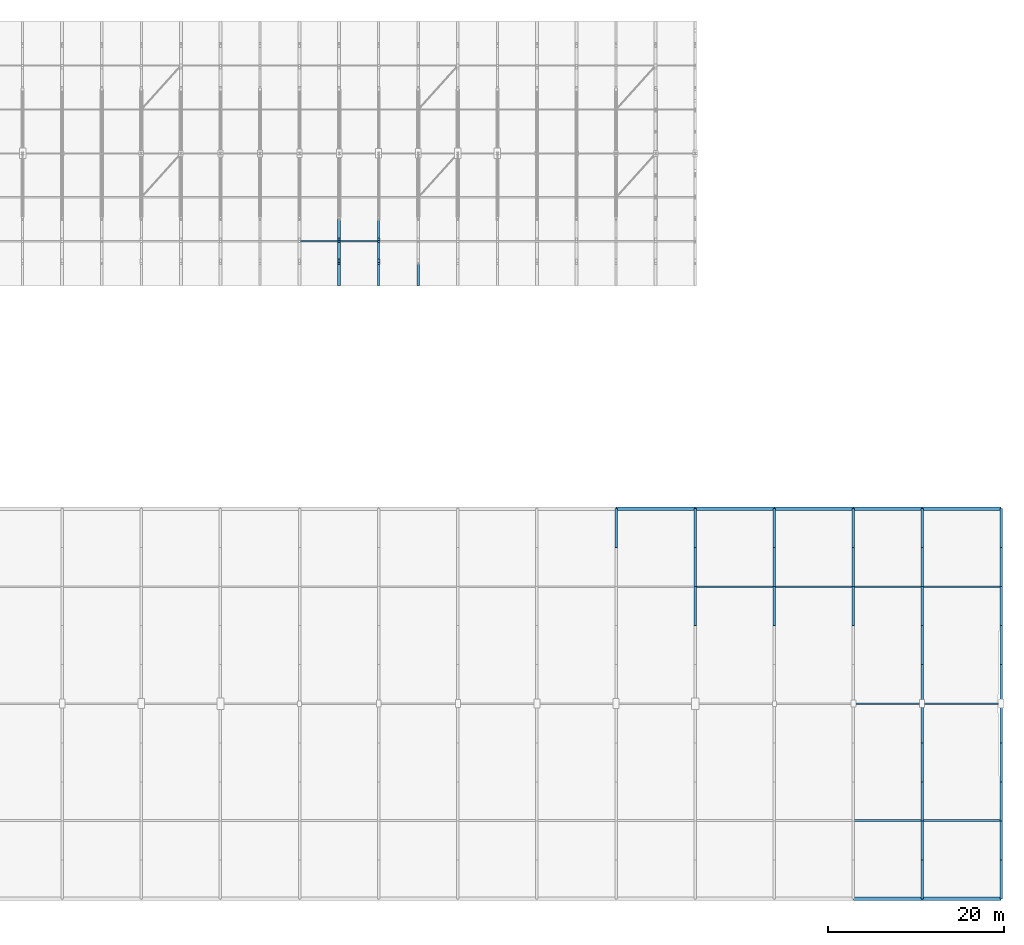
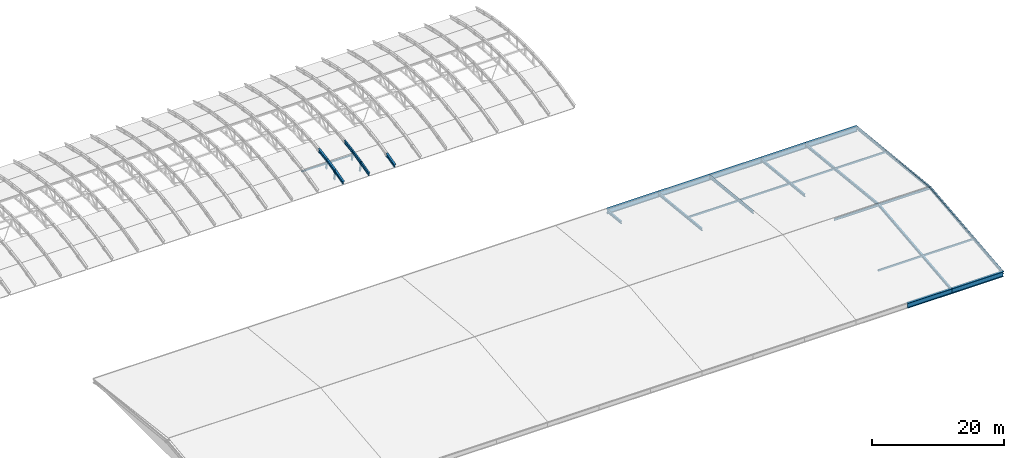
# One storey, part 22 of 53: 44 members, 14 beams.
"""IFC4 building model written with IfcOpenShell, lengths in metres."""

from ifc_helpers import new_model, si_unit, direction, frame, origin, origin_2d, place, context, subcontext, project, spatial, hollow_rectangle, i_section, extrude, material, material_profile, profile_set, type_object, element, save


model = new_model("IFC4")

# Units and contexts
model_context = context("Model", 3, precision=1e-05, world=origin(), true_north=direction((0.0, 1.0)))
body_context = subcontext(model_context, "Body", "Model", "MODEL_VIEW")
ifc_project = project(units=[si_unit("LENGTHUNIT", "METRE"), si_unit("AREAUNIT", "SQUARE_METRE"), si_unit("VOLUMEUNIT", "CUBIC_METRE"), si_unit("PLANEANGLEUNIT", "RADIAN"), si_unit("MASSUNIT", "GRAM", prefix="KILO")], contexts=[model_context])

# Site, building, storey
site_placement = place(None, origin())
site = spatial("IfcSite", under=ifc_project, at=site_placement, CompositionType="ELEMENT")
building_placement = place(site_placement, origin())
building = spatial("IfcBuilding", under=site, at=building_placement, Name="Cazmaro Siding Exhibition Halls", CompositionType="ELEMENT")
storey_placement = place(building_placement, frame((0.0, 0.0, 21.0)))
storey = spatial("IfcBuildingStorey", under=building, at=storey_placement, Name="L04", CompositionType="ELEMENT", Elevation=21.0)

# Beams
ifc_material_1 = material(Name="Steel ASTM A992 Grade 50", Category="steel")
ifc_material_profile_1 = material_profile(ifc_material_1, i_section(OverallWidth=0.327880859375, OverallDepth=0.626953125, WebThickness=0.01708984375, FlangeThickness=0.028076171875, at=origin_2d()), Name="W24X146")
ifc_profile_set_1 = profile_set([ifc_material_profile_1], Name="Steel ASTM A992 Grade 50")
beam_type_1 = type_object("IfcBeamType", Name="AR-01", PredefinedType="USERDEFINED", material=ifc_profile_set_1)
beam_1_placement = place(storey_placement, frame((139.5, 79.0, 0.35498046875), z_axis=(0.0, 0.966391398669, 0.257075211911), x_axis=(-1.0, 0.0, 0.0)))
element("IfcBeam", 1, at=beam_1_placement, inside=storey, type_object=beam_type_1, Name="Space frame barrel vault arched rib AR-01 BM-1045", ObjectType="ARCHED RIB", PredefinedType="USERDEFINED", context=body_context, shape_type="SweptSolid", body=[
    extrude(i_section(OverallWidth=0.327880859375, OverallDepth=0.626953125, WebThickness=0.01708984375, FlangeThickness=0.028076171875, at=origin_2d()), origin(), (0.0, 0.0, 1.0), 2.5869140625),
])
ifc_material_2 = material(Name="Steel ASTM A992 Grade 50", Category="steel")
ifc_material_profile_2 = material_profile(ifc_material_2, i_section(OverallWidth=0.324951171875, OverallDepth=0.612060546875, WebThickness=0.012939453125, FlangeThickness=0.01904296875, at=origin_2d()), Name="W24X104")
ifc_profile_set_2 = profile_set([ifc_material_profile_2], Name="Steel ASTM A992 Grade 50")
beam_type_2 = type_object("IfcBeamType", Name="AR-02", PredefinedType="USERDEFINED", material=ifc_profile_set_2)
beam_2_placement = place(storey_placement, frame((130.5, 79.0, 0.35498046875), z_axis=(0.0, 0.966391398669, 0.257075211911), x_axis=(-1.0, 0.0, 0.0)))
element("IfcBeam", 2, at=beam_2_placement, inside=storey, type_object=beam_type_2, Name="Space frame barrel vault arched rib AR-02 BM-0997", ObjectType="ARCHED RIB", PredefinedType="USERDEFINED", context=body_context, shape_type="SweptSolid", body=[
    extrude(i_section(OverallWidth=0.324951171875, OverallDepth=0.612060546875, WebThickness=0.012939453125, FlangeThickness=0.01904296875, at=origin_2d()), origin(), (0.0, 0.0, 1.0), 2.5869140625),
])
beam_3_placement = place(storey_placement, frame((130.5, 81.5, 1.02001953125), z_axis=(0.0, 0.977710100146, 0.209959424826), x_axis=(-1.0, 0.0, 0.0)))
element("IfcBeam", 3, at=beam_3_placement, inside=storey, type_object=beam_type_2, Name="Space frame barrel vault arched rib AR-02 BM-0998", ObjectType="ARCHED RIB", PredefinedType="USERDEFINED", context=body_context, shape_type="SweptSolid", body=[
    extrude(i_section(OverallWidth=0.324951171875, OverallDepth=0.612060546875, WebThickness=0.012939453125, FlangeThickness=0.01904296875, at=origin_2d()), origin(), (0.0, 0.0, 1.0), 2.556884765625),
])
beam_4_placement = place(storey_placement, frame((130.5, 84.0, 1.556884765625), z_axis=(0.0, 0.98649787474, 0.163774061236), x_axis=(-1.0, 0.0, 0.0)))
element("IfcBeam", 4, at=beam_4_placement, inside=storey, type_object=beam_type_2, Name="Space frame barrel vault arched rib AR-02 BM-0999", ObjectType="ARCHED RIB", PredefinedType="USERDEFINED", context=body_context, shape_type="SweptSolid", body=[
    extrude(i_section(OverallWidth=0.324951171875, OverallDepth=0.612060546875, WebThickness=0.012939453125, FlangeThickness=0.01904296875, at=origin_2d()), origin(), (0.0, 0.0, 1.0), 2.5341796875),
])
ifc_material_3 = material(Name="Steel ASTM A992 Grade 50", Category="steel")
ifc_material_profile_3 = material_profile(ifc_material_3, i_section(OverallWidth=0.22900390625, OverallDepth=0.612060546875, WebThickness=0.011962890625, FlangeThickness=0.02001953125, at=origin_2d()), Name="W24X84")
ifc_profile_set_3 = profile_set([ifc_material_profile_3], Name="Steel ASTM A992 Grade 50")
beam_type_3 = type_object("IfcBeamType", Name="AR-03", PredefinedType="USERDEFINED", material=ifc_profile_set_3)
beam_5_placement = place(storey_placement, frame((135.0, 79.0, 0.35498046875), z_axis=(0.0, 0.966391398669, 0.257075211911), x_axis=(-1.0, 0.0, 0.0)))
element("IfcBeam", 5, at=beam_5_placement, inside=storey, type_object=beam_type_3, Name="Space frame barrel vault arched rib AR-03 BM-1021", ObjectType="ARCHED RIB", PredefinedType="USERDEFINED", context=body_context, shape_type="SweptSolid", body=[
    extrude(i_section(OverallWidth=0.22900390625, OverallDepth=0.612060546875, WebThickness=0.011962890625, FlangeThickness=0.02001953125, at=origin_2d()), origin(), (0.0, 0.0, 1.0), 2.5869140625),
])
beam_6_placement = place(storey_placement, frame((135.0, 81.5, 1.02001953125), z_axis=(0.0, 0.977710100146, 0.209959424826), x_axis=(-1.0, 0.0, 0.0)))
element("IfcBeam", 6, at=beam_6_placement, inside=storey, type_object=beam_type_3, Name="Space frame barrel vault arched rib AR-03 BM-1022", ObjectType="ARCHED RIB", PredefinedType="USERDEFINED", context=body_context, shape_type="SweptSolid", body=[
    extrude(i_section(OverallWidth=0.22900390625, OverallDepth=0.612060546875, WebThickness=0.011962890625, FlangeThickness=0.02001953125, at=origin_2d()), origin(), (0.0, 0.0, 1.0), 2.556884765625),
])
beam_7_placement = place(storey_placement, frame((135.0, 84.0, 1.556884765625), z_axis=(0.0, 0.98649787474, 0.163774061236), x_axis=(-1.0, 0.0, 0.0)))
element("IfcBeam", 7, at=beam_7_placement, inside=storey, type_object=beam_type_3, Name="Space frame barrel vault arched rib AR-03 BM-1023", ObjectType="ARCHED RIB", PredefinedType="USERDEFINED", context=body_context, shape_type="SweptSolid", body=[
    extrude(i_section(OverallWidth=0.22900390625, OverallDepth=0.612060546875, WebThickness=0.011962890625, FlangeThickness=0.02001953125, at=origin_2d()), origin(), (0.0, 0.0, 1.0), 2.5341796875),
])
ifc_material_4 = material(Name="Steel ASTM A992 Grade 50", Category="steel")
ifc_material_profile_4 = material_profile(ifc_material_4, i_section(OverallWidth=0.4189453125, OverallDepth=0.927001953125, WebThickness=0.02001953125, FlangeThickness=0.031982421875, at=origin_2d()), Name="W36X231")
ifc_profile_set_4 = profile_set([ifc_material_profile_4], Name="Steel ASTM A992 Grade 50")
beam_type_4 = type_object("IfcBeamType", Name="G-02", PredefinedType="USERDEFINED", material=ifc_profile_set_4)
for number, where, z_axis, x_axis, name in (
    (8, (162.0, 53.60009765625, -0.462890625), (1.0, 0.0, 0.0), (0.0, 1.0, 0.0), "Beam G-02 BM-1526"),
    (9, (171.0, 53.60009765625, -0.462890625), (1.0, 0.0, 0.0), (0.0, 1.0, 0.0), "Beam G-02 BM-1530"),
    (10, (180.0, 53.60009765625, -0.462890625), (1.0, 0.0, 0.0), (0.0, 1.0, 0.0), "Beam G-02 BM-1534"),
):
    element("IfcBeam", number, at=place(storey_placement, frame(where, z_axis=z_axis, x_axis=x_axis)), inside=storey, type_object=beam_type_4, Name=name, ObjectType="GIRDER", PredefinedType="USERDEFINED", context=body_context, shape_type="SweptSolid", body=[
        extrude(i_section(OverallWidth=0.4189453125, OverallDepth=0.927001953125, WebThickness=0.02001953125, FlangeThickness=0.031982421875, at=origin_2d()), origin(), (0.0, 0.0, 1.0), 9.0),
    ])
for number, where, z_axis, x_axis, name in (
    (11, (189.0, 9.25, -0.462890625), (1.0, 0.0, 0.0), (0.0, 1.0, 0.0), "Beam G-02 BM-1536"),
    (12, (189.0, 53.60009765625, -0.462890625), (1.0, 0.0, 0.0), (0.0, 1.0, 0.0), "Beam G-02 BM-1538"),
):
    element("IfcBeam", number, at=place(storey_placement, frame(where, z_axis=z_axis, x_axis=x_axis)), inside=storey, type_object=beam_type_4, Name=name, ObjectType="GIRDER", PredefinedType="USERDEFINED", context=body_context, shape_type="SweptSolid", body=[
        extrude(i_section(OverallWidth=0.4189453125, OverallDepth=0.927001953125, WebThickness=0.02001953125, FlangeThickness=0.031982421875, at=origin_2d()), origin(), (0.0, 0.0, 1.0), 7.800048828125),
    ])
for number, where, z_axis, x_axis, name in (
    (13, (196.800048828125, 9.25, -0.462890625), (1.0, 0.0, 0.0), (0.0, 1.0, 0.0), "Beam G-02 BM-1540"),
    (14, (196.800048828125, 53.60009765625, -0.462890625), (1.0, 0.0, 0.0), (0.0, 1.0, 0.0), "Beam G-02 BM-1542"),
):
    element("IfcBeam", number, at=place(storey_placement, frame(where, z_axis=z_axis, x_axis=x_axis)), inside=storey, type_object=beam_type_4, Name=name, ObjectType="GIRDER", PredefinedType="USERDEFINED", context=body_context, shape_type="SweptSolid", body=[
        extrude(i_section(OverallWidth=0.4189453125, OverallDepth=0.927001953125, WebThickness=0.02001953125, FlangeThickness=0.031982421875, at=origin_2d()), origin(), (0.0, 0.0, 1.0), 9.0),
    ])

# Members
ifc_material_5 = material(Name="Steel ASTM A500 Grade C", Category="steel")
ifc_material_profile_5 = material_profile(ifc_material_5, hollow_rectangle(XDim=0.202880859375, YDim=0.304931640625, WallThickness=0.011962890625, at=origin_2d()), Name="HSS12X8X1/2")
ifc_profile_set_5 = profile_set([ifc_material_profile_5], Name="Steel ASTM A500 Grade C")
member_type_1 = type_object("IfcMemberType", Name="RP-02", PredefinedType="PURLIN", material=ifc_profile_set_5)
for number, where, z_axis, x_axis, name in (
    (15, (171.0, 44.72998046875, 0.610107421875), (1.0, 0.0, 0.0), (0.0, 1.0, 0.0), "Warren roof purlin RP-02 MEM-2961"),
    (16, (180.0, 44.72998046875, 0.610107421875), (1.0, 0.0, 0.0), (0.0, 1.0, 0.0), "Warren roof purlin RP-02 MEM-2964"),
):
    element("IfcMember", number, at=place(storey_placement, frame(where, z_axis=z_axis, x_axis=x_axis)), inside=storey, type_object=member_type_1, Name=name, PredefinedType="PURLIN", context=body_context, shape_type="SweptSolid", body=[
        extrude(hollow_rectangle(XDim=0.202880859375, YDim=0.304931640625, WallThickness=0.011962890625, at=origin_2d()), origin(), (0.0, 0.0, 1.0), 9.0),
    ])
for number, where, z_axis, x_axis, name in (
    (17, (189.0, 18.1201171875, 0.610107421875), (1.0, 0.0, 0.0), (0.0, 1.0, 0.0), "Warren roof purlin RP-02 MEM-2965"),
    (18, (189.0, 44.72998046875, 0.610107421875), (1.0, 0.0, 0.0), (0.0, 1.0, 0.0), "Warren roof purlin RP-02 MEM-2967"),
):
    element("IfcMember", number, at=place(storey_placement, frame(where, z_axis=z_axis, x_axis=x_axis)), inside=storey, type_object=member_type_1, Name=name, PredefinedType="PURLIN", context=body_context, shape_type="SweptSolid", body=[
        extrude(hollow_rectangle(XDim=0.202880859375, YDim=0.304931640625, WallThickness=0.011962890625, at=origin_2d()), origin(), (0.0, 0.0, 1.0), 7.800048828125),
    ])
for number, where, z_axis, x_axis, name in (
    (19, (196.800048828125, 18.1201171875, 0.610107421875), (1.0, 0.0, 0.0), (0.0, 1.0, 0.0), "Warren roof purlin RP-02 MEM-2968"),
    (20, (196.800048828125, 44.72998046875, 0.610107421875), (1.0, 0.0, 0.0), (0.0, 1.0, 0.0), "Warren roof purlin RP-02 MEM-2970"),
):
    element("IfcMember", number, at=place(storey_placement, frame(where, z_axis=z_axis, x_axis=x_axis)), inside=storey, type_object=member_type_1, Name=name, PredefinedType="PURLIN", context=body_context, shape_type="SweptSolid", body=[
        extrude(hollow_rectangle(XDim=0.202880859375, YDim=0.304931640625, WallThickness=0.011962890625, at=origin_2d()), origin(), (0.0, 0.0, 1.0), 9.0),
    ])
ifc_material_6 = material(Name="Steel ASTM A992 Grade 50", Category="steel")
ifc_material_profile_6 = material_profile(ifc_material_6, i_section(OverallWidth=0.177978515625, OverallDepth=0.406005859375, WebThickness=0.008056640625, FlangeThickness=0.012939453125, at=origin_2d()), Name="W16X40")
ifc_profile_set_6 = profile_set([ifc_material_profile_6], Name="Steel ASTM A992 Grade 50")
member_type_2 = type_object("IfcMemberType", Name="RP-03", PredefinedType="PURLIN", material=ifc_profile_set_6)
member_1_placement = place(storey_placement, frame((189.0, 31.425048828125, 1.9580078125), z_axis=(1.0, 0.0, 0.0), x_axis=(0.0, 1.0, 0.0)))
element("IfcMember", 21, at=member_1_placement, inside=storey, type_object=member_type_2, Name="Warren roof purlin RP-03 MEM-2966", PredefinedType="PURLIN", context=body_context, shape_type="SweptSolid", body=[
    extrude(i_section(OverallWidth=0.177978515625, OverallDepth=0.406005859375, WebThickness=0.008056640625, FlangeThickness=0.012939453125, at=origin_2d()), origin(), (0.0, 0.0, 1.0), 7.800048828125),
])
member_2_placement = place(storey_placement, frame((196.800048828125, 31.425048828125, 1.9580078125), z_axis=(1.0, 0.0, 0.0), x_axis=(0.0, 1.0, 0.0)))
element("IfcMember", 22, at=member_2_placement, inside=storey, type_object=member_type_2, Name="Warren roof purlin RP-03 MEM-2969", PredefinedType="PURLIN", context=body_context, shape_type="SweptSolid", body=[
    extrude(i_section(OverallWidth=0.177978515625, OverallDepth=0.406005859375, WebThickness=0.008056640625, FlangeThickness=0.012939453125, at=origin_2d()), origin(), (0.0, 0.0, 1.0), 9.0),
])
ifc_material_7 = material(Name="Steel ASTM A500 Grade C", Category="steel")
ifc_material_profile_7 = material_profile(ifc_material_7, hollow_rectangle(XDim=0.152099609375, YDim=0.25390625, WallThickness=0.011962890625, at=origin_2d()), Name="HSS10X6X1/2")
ifc_profile_set_7 = profile_set([ifc_material_profile_7], Name="Steel ASTM A500 Grade C")
member_type_3 = type_object("IfcMemberType", Name="RP-04", PredefinedType="PURLIN", material=ifc_profile_set_7)
for number, where, z_axis, x_axis, name in (
    (23, (126.0, 84.0, 1.01708984375), (1.0, 0.0, 0.0), (0.0, 1.0, 0.0), "Space frame barrel vault purlin RP-04 MEM-2183"),
    (24, (130.5, 84.0, 1.01708984375), (1.0, 0.0, 0.0), (0.0, 1.0, 0.0), "Space frame barrel vault purlin RP-04 MEM-2194"),
):
    element("IfcMember", number, at=place(storey_placement, frame(where, z_axis=z_axis, x_axis=x_axis)), inside=storey, type_object=member_type_3, Name=name, PredefinedType="PURLIN", context=body_context, shape_type="SweptSolid", body=[
        extrude(hollow_rectangle(XDim=0.152099609375, YDim=0.25390625, WallThickness=0.011962890625, at=origin_2d()), origin(), (0.0, 0.0, 1.0), 4.5),
    ])
ifc_material_8 = material(Name="Steel ASTM A992 Grade 50", Category="steel")
ifc_material_profile_8 = material_profile(ifc_material_8, i_section(OverallWidth=0.279052734375, OverallDepth=0.4619140625, WebThickness=0.010986328125, FlangeThickness=0.01708984375, at=origin_2d()), Name="W18X76")
ifc_profile_set_8 = profile_set([ifc_material_profile_8], Name="Steel ASTM A992 Grade 50")
member_type_4 = type_object("IfcMemberType", Name="TC-03", PredefinedType="CHORD", material=ifc_profile_set_8)
for number, where, z_axis, x_axis, name in (
    (25, (162.0, 49.1650390625, 0.10595703125), (0.0, 0.994523736536, -0.104510944239), (-1.0, 0.0, 0.0), "Warren roof truss top chord TC-03 MEM-2719"),
    (26, (171.0, 40.294921875, 1.0390625), (0.0, 0.994523736536, -0.104510944239), (-1.0, 0.0, 0.0), "Warren roof truss top chord TC-03 MEM-2752"),
    (27, (171.0, 44.72998046875, 0.572998046875), (0.0, 0.994500952399, -0.104727530658), (-1.0, 0.0, 0.0), "Warren roof truss top chord TC-03 MEM-2755"),
    (28, (171.0, 49.1650390625, 0.10595703125), (0.0, 0.994523736536, -0.104510944239), (-1.0, 0.0, 0.0), "Warren roof truss top chord TC-03 MEM-2758"),
    (29, (180.0, 40.294921875, 1.0390625), (0.0, 0.994523736536, -0.104510944239), (-1.0, 0.0, 0.0), "Warren roof truss top chord TC-03 MEM-2791"),
    (30, (180.0, 44.72998046875, 0.572998046875), (0.0, 0.994500952399, -0.104727530658), (-1.0, 0.0, 0.0), "Warren roof truss top chord TC-03 MEM-2794"),
    (31, (180.0, 49.1650390625, 0.10595703125), (0.0, 0.994523736536, -0.104510944239), (-1.0, 0.0, 0.0), "Warren roof truss top chord TC-03 MEM-2797"),
    (32, (189.0, 40.294921875, 1.0390625), (0.0, 0.994523736536, -0.104510944239), (-1.0, 0.0, 0.0), "Warren roof truss top chord TC-03 MEM-2830"),
    (33, (189.0, 44.72998046875, 0.572998046875), (0.0, 0.994500952399, -0.104727530658), (-1.0, 0.0, 0.0), "Warren roof truss top chord TC-03 MEM-2833"),
    (34, (189.0, 49.1650390625, 0.10595703125), (0.0, 0.994523736536, -0.104510944239), (-1.0, 0.0, 0.0), "Warren roof truss top chord TC-03 MEM-2836"),
    (35, (196.800048828125, 9.25, -0.360107421875), (0.0, 0.994523736536, 0.104510944239), (-1.0, 0.0, 0.0), "Warren roof truss top chord TC-03 MEM-2848"),
    (36, (196.800048828125, 13.68505859375, 0.10595703125), (0.0, 0.994500952399, 0.104727530658), (-1.0, 0.0, 0.0), "Warren roof truss top chord TC-03 MEM-2851"),
):
    element("IfcMember", number, at=place(storey_placement, frame(where, z_axis=z_axis, x_axis=x_axis)), inside=storey, type_object=member_type_4, Name=name, PredefinedType="CHORD", context=body_context, shape_type="SweptSolid", body=[
        extrude(i_section(OverallWidth=0.279052734375, OverallDepth=0.4619140625, WebThickness=0.010986328125, FlangeThickness=0.01708984375, at=origin_2d()), origin(), (0.0, 0.0, 1.0), 4.45947265625),
    ])
member_3_placement = place(storey_placement, frame((196.800048828125, 18.1201171875, 0.572998046875), z_axis=(0.0, 0.994523138518, 0.104516634816), x_axis=(-1.0, 0.0, 0.0)))
element("IfcMember", 37, at=member_3_placement, inside=storey, type_object=member_type_4, Name="Warren roof truss top chord TC-03 MEM-2854", PredefinedType="CHORD", context=body_context, shape_type="SweptSolid", body=[
    extrude(i_section(OverallWidth=0.279052734375, OverallDepth=0.4619140625, WebThickness=0.010986328125, FlangeThickness=0.01708984375, at=origin_2d()), origin(), (0.0, 0.0, 1.0), 4.459228515625),
])
for number, where, z_axis, x_axis, name in (
    (38, (196.800048828125, 22.554931640625, 1.0390625), (0.0, 0.994529425363, 0.10445679531), (-1.0, 0.0, 0.0), "Warren roof truss top chord TC-03 MEM-2857"),
    (39, (196.800048828125, 26.989990234375, 1.5048828125), (0.0, 0.994523736536, 0.104510944239), (-1.0, 0.0, 0.0), "Warren roof truss top chord TC-03 MEM-2860"),
    (40, (196.800048828125, 31.425048828125, 1.970947265625), (0.0, 0.994523736536, -0.104510944239), (-1.0, 0.0, 0.0), "Warren roof truss top chord TC-03 MEM-2863"),
):
    element("IfcMember", number, at=place(storey_placement, frame(where, z_axis=z_axis, x_axis=x_axis)), inside=storey, type_object=member_type_4, Name=name, PredefinedType="CHORD", context=body_context, shape_type="SweptSolid", body=[
        extrude(i_section(OverallWidth=0.279052734375, OverallDepth=0.4619140625, WebThickness=0.010986328125, FlangeThickness=0.01708984375, at=origin_2d()), origin(), (0.0, 0.0, 1.0), 4.45947265625),
    ])
member_4_placement = place(storey_placement, frame((196.800048828125, 35.860107421875, 1.5048828125), z_axis=(0.0, 0.994528827961, -0.104462483003), x_axis=(-1.0, 0.0, 0.0)))
element("IfcMember", 41, at=member_4_placement, inside=storey, type_object=member_type_4, Name="Warren roof truss top chord TC-03 MEM-2866", PredefinedType="CHORD", context=body_context, shape_type="SweptSolid", body=[
    extrude(i_section(OverallWidth=0.279052734375, OverallDepth=0.4619140625, WebThickness=0.010986328125, FlangeThickness=0.01708984375, at=origin_2d()), origin(), (0.0, 0.0, 1.0), 4.459228515625),
])
for number, where, z_axis, x_axis, name in (
    (42, (196.800048828125, 40.294921875, 1.0390625), (0.0, 0.994523736536, -0.104510944239), (-1.0, 0.0, 0.0), "Warren roof truss top chord TC-03 MEM-2869"),
    (43, (196.800048828125, 44.72998046875, 0.572998046875), (0.0, 0.994500952399, -0.104727530658), (-1.0, 0.0, 0.0), "Warren roof truss top chord TC-03 MEM-2872"),
    (44, (196.800048828125, 49.1650390625, 0.10595703125), (0.0, 0.994523736536, -0.104510944239), (-1.0, 0.0, 0.0), "Warren roof truss top chord TC-03 MEM-2875"),
    (45, (205.800048828125, 9.25, -0.360107421875), (0.0, 0.994523736536, 0.104510944239), (-1.0, 0.0, 0.0), "Warren roof truss top chord TC-03 MEM-2887"),
    (46, (205.800048828125, 13.68505859375, 0.10595703125), (0.0, 0.994500952399, 0.104727530658), (-1.0, 0.0, 0.0), "Warren roof truss top chord TC-03 MEM-2890"),
):
    element("IfcMember", number, at=place(storey_placement, frame(where, z_axis=z_axis, x_axis=x_axis)), inside=storey, type_object=member_type_4, Name=name, PredefinedType="CHORD", context=body_context, shape_type="SweptSolid", body=[
        extrude(i_section(OverallWidth=0.279052734375, OverallDepth=0.4619140625, WebThickness=0.010986328125, FlangeThickness=0.01708984375, at=origin_2d()), origin(), (0.0, 0.0, 1.0), 4.45947265625),
    ])
member_5_placement = place(storey_placement, frame((205.800048828125, 18.1201171875, 0.572998046875), z_axis=(0.0, 0.994523138518, 0.104516634816), x_axis=(-1.0, 0.0, 0.0)))
element("IfcMember", 47, at=member_5_placement, inside=storey, type_object=member_type_4, Name="Warren roof truss top chord TC-03 MEM-2893", PredefinedType="CHORD", context=body_context, shape_type="SweptSolid", body=[
    extrude(i_section(OverallWidth=0.279052734375, OverallDepth=0.4619140625, WebThickness=0.010986328125, FlangeThickness=0.01708984375, at=origin_2d()), origin(), (0.0, 0.0, 1.0), 4.459228515625),
])
for number, where, z_axis, x_axis, name in (
    (48, (205.800048828125, 22.554931640625, 1.0390625), (0.0, 0.994529425363, 0.10445679531), (-1.0, 0.0, 0.0), "Warren roof truss top chord TC-03 MEM-2896"),
    (49, (205.800048828125, 26.989990234375, 1.5048828125), (0.0, 0.994523736536, 0.104510944239), (-1.0, 0.0, 0.0), "Warren roof truss top chord TC-03 MEM-2899"),
    (50, (205.800048828125, 31.425048828125, 1.970947265625), (0.0, 0.994523736536, -0.104510944239), (-1.0, 0.0, 0.0), "Warren roof truss top chord TC-03 MEM-2902"),
):
    element("IfcMember", number, at=place(storey_placement, frame(where, z_axis=z_axis, x_axis=x_axis)), inside=storey, type_object=member_type_4, Name=name, PredefinedType="CHORD", context=body_context, shape_type="SweptSolid", body=[
        extrude(i_section(OverallWidth=0.279052734375, OverallDepth=0.4619140625, WebThickness=0.010986328125, FlangeThickness=0.01708984375, at=origin_2d()), origin(), (0.0, 0.0, 1.0), 4.45947265625),
    ])
member_6_placement = place(storey_placement, frame((205.800048828125, 35.860107421875, 1.5048828125), z_axis=(0.0, 0.994528827961, -0.104462483003), x_axis=(-1.0, 0.0, 0.0)))
element("IfcMember", 51, at=member_6_placement, inside=storey, type_object=member_type_4, Name="Warren roof truss top chord TC-03 MEM-2905", PredefinedType="CHORD", context=body_context, shape_type="SweptSolid", body=[
    extrude(i_section(OverallWidth=0.279052734375, OverallDepth=0.4619140625, WebThickness=0.010986328125, FlangeThickness=0.01708984375, at=origin_2d()), origin(), (0.0, 0.0, 1.0), 4.459228515625),
])
for number, where, z_axis, x_axis, name in (
    (52, (205.800048828125, 40.294921875, 1.0390625), (0.0, 0.994523736536, -0.104510944239), (-1.0, 0.0, 0.0), "Warren roof truss top chord TC-03 MEM-2908"),
    (53, (205.800048828125, 44.72998046875, 0.572998046875), (0.0, 0.994500952399, -0.104727530658), (-1.0, 0.0, 0.0), "Warren roof truss top chord TC-03 MEM-2911"),
    (54, (205.800048828125, 49.1650390625, 0.10595703125), (0.0, 0.994523736536, -0.104510944239), (-1.0, 0.0, 0.0), "Warren roof truss top chord TC-03 MEM-2914"),
):
    element("IfcMember", number, at=place(storey_placement, frame(where, z_axis=z_axis, x_axis=x_axis)), inside=storey, type_object=member_type_4, Name=name, PredefinedType="CHORD", context=body_context, shape_type="SweptSolid", body=[
        extrude(i_section(OverallWidth=0.279052734375, OverallDepth=0.4619140625, WebThickness=0.010986328125, FlangeThickness=0.01708984375, at=origin_2d()), origin(), (0.0, 0.0, 1.0), 4.45947265625),
    ])
ifc_material_9 = material(Name="Steel ASTM A992 Grade 50", Category="steel")
ifc_material_profile_9 = material_profile(ifc_material_9, i_section(OverallWidth=0.25390625, OverallDepth=0.25390625, WebThickness=0.009033203125, FlangeThickness=0.013916015625, at=origin_2d()), Name="W10X49")
ifc_profile_set_9 = profile_set([ifc_material_profile_9], Name="Steel ASTM A992 Grade 50")
member_type_5 = type_object("IfcMemberType", Name="TP-04", PredefinedType="POST", material=ifc_profile_set_9)
member_7_placement = place(storey_placement, frame((130.5, 81.85009765625, -0.739013671875), z_axis=(0.0, -0.195199839578, 0.980763489649), x_axis=(1.0, 0.0, 0.0)))
element("IfcMember", 55, at=member_7_placement, inside=storey, type_object=member_type_5, Name="Space frame barrel vault post TP-04 MEM-1356", PredefinedType="POST", context=body_context, shape_type="SweptSolid", body=[
    extrude(i_section(OverallWidth=0.25390625, OverallDepth=0.25390625, WebThickness=0.009033203125, FlangeThickness=0.013916015625, at=origin_2d()), origin(), (0.0, 0.0, 1.0), 1.79345703125),
])
member_8_placement = place(storey_placement, frame((130.5, 84.280029296875, -0.217041015625), z_axis=(0.0, -0.155927668857, 0.987768475952), x_axis=(1.0, 0.0, 0.0)))
element("IfcMember", 56, at=member_8_placement, inside=storey, type_object=member_type_5, Name="Space frame barrel vault post TP-04 MEM-1357", PredefinedType="POST", context=body_context, shape_type="SweptSolid", body=[
    extrude(i_section(OverallWidth=0.25390625, OverallDepth=0.25390625, WebThickness=0.009033203125, FlangeThickness=0.013916015625, at=origin_2d()), origin(), (0.0, 0.0, 1.0), 1.7958984375),
])
member_9_placement = place(storey_placement, frame((135.0, 81.85009765625, -0.739013671875), z_axis=(0.0, -0.195199839578, 0.980763489649), x_axis=(1.0, 0.0, 0.0)))
element("IfcMember", 57, at=member_9_placement, inside=storey, type_object=member_type_5, Name="Space frame barrel vault post TP-04 MEM-1427", PredefinedType="POST", context=body_context, shape_type="SweptSolid", body=[
    extrude(i_section(OverallWidth=0.25390625, OverallDepth=0.25390625, WebThickness=0.009033203125, FlangeThickness=0.013916015625, at=origin_2d()), origin(), (0.0, 0.0, 1.0), 1.79345703125),
])
member_10_placement = place(storey_placement, frame((135.0, 84.280029296875, -0.217041015625), z_axis=(0.0, -0.155927668857, 0.987768475952), x_axis=(1.0, 0.0, 0.0)))
element("IfcMember", 58, at=member_10_placement, inside=storey, type_object=member_type_5, Name="Space frame barrel vault post TP-04 MEM-1428", PredefinedType="POST", context=body_context, shape_type="SweptSolid", body=[
    extrude(i_section(OverallWidth=0.25390625, OverallDepth=0.25390625, WebThickness=0.009033203125, FlangeThickness=0.013916015625, at=origin_2d()), origin(), (0.0, 0.0, 1.0), 1.7958984375),
])

save(model, "model.ifc")
